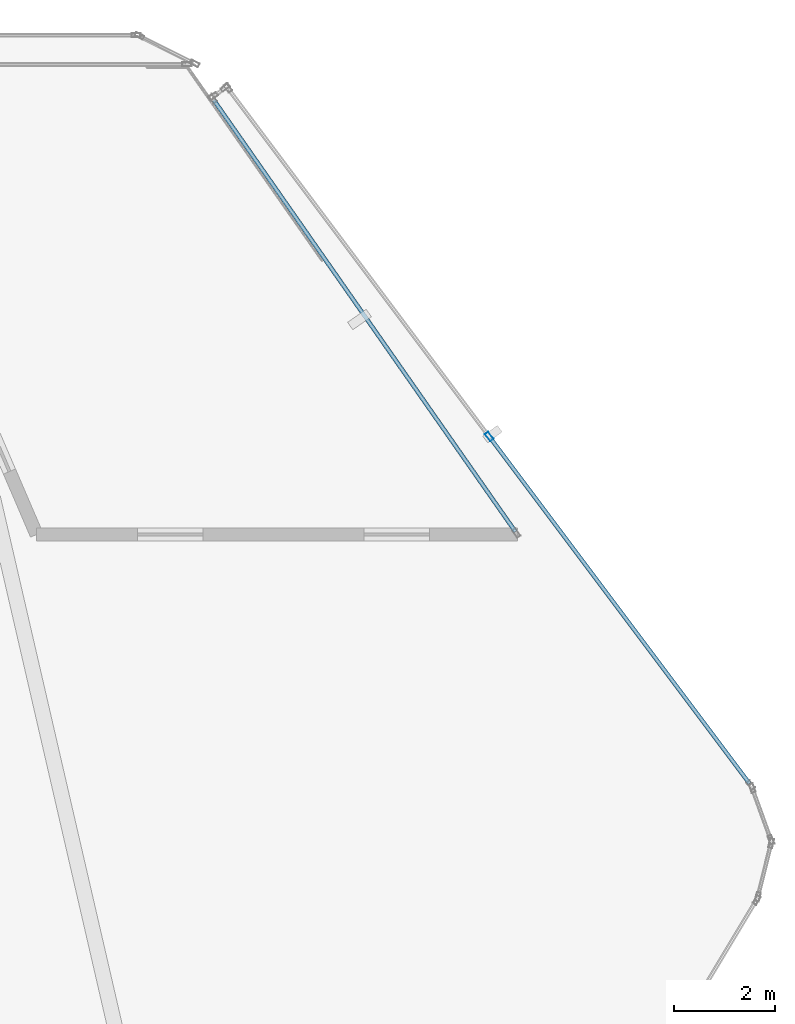
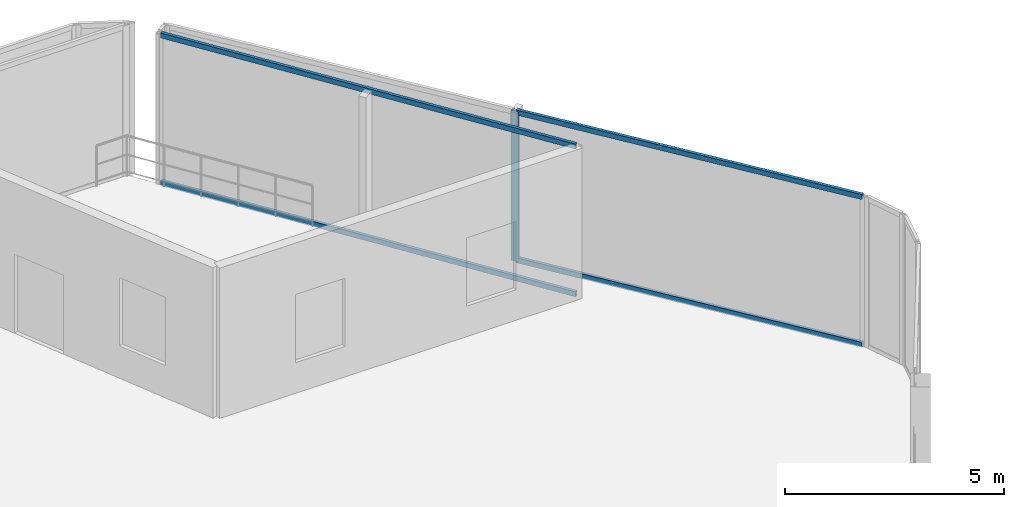
# One storey, part 20 of 31: 5 members, 2 elements without a shape of their own.
"""IFC4 building model written with IfcOpenShell, lengths in metres."""

from ifc_helpers import new_model, si_unit, direction, frame, origin, origin_2d, place, context, subcontext, project, spatial, hollow_rectangle, extrude, material, layer, layer_set, material_profile, profile_set, type_object, element, aggregate, save


model = new_model("IFC4")

# Units and contexts
model_context = context("Model", 3, precision=1e-05, world=origin(), true_north=direction((0.0, 1.0)))
body_context = subcontext(model_context, "Body", "Model", "MODEL_VIEW")
ifc_project = project(units=[si_unit("LENGTHUNIT", "METRE"), si_unit("AREAUNIT", "SQUARE_METRE"), si_unit("VOLUMEUNIT", "CUBIC_METRE"), si_unit("PLANEANGLEUNIT", "RADIAN"), si_unit("MASSUNIT", "GRAM", prefix="KILO")], contexts=[model_context])

# Site, building, storey
site_placement = place(None, origin())
site = spatial("IfcSite", under=ifc_project, at=site_placement, CompositionType="ELEMENT")
building_placement = place(site_placement, origin())
building = spatial("IfcBuilding", under=site, at=building_placement, Name="Keshet Zoharim Tower", CompositionType="ELEMENT")
storey_placement = place(building_placement, frame((0.0, 0.0, 125.300048828125)))
storey = spatial("IfcBuildingStorey", under=building, at=storey_placement, Name="L30", CompositionType="ELEMENT", Elevation=125.300048828125)

# Curtain wall, members
ifc_material = material(Name="Aluminium 6063-T6", Category="aluminium")
ifc_layer = layer(ifc_material, 0.14990234375)
ifc_layer_set = layer_set([ifc_layer], Name="Aluminium 6063-T6")
curtain_wall_type = type_object("IfcCurtainWallType", Name="CW-SYS-04", PredefinedType="NOTDEFINED", material=ifc_layer_set)
curtain_wall_1_placement = place(storey_placement, origin())
curtain_wall_1 = element("IfcCurtainWall", 1, at=curtain_wall_1_placement, inside=storey, type_object=curtain_wall_type, Name="L30 Unitised Curtain Wall 02", PredefinedType="NOTDEFINED")
ifc_material_profile_1 = material_profile(ifc_material, hollow_rectangle(XDim=0.080078125, YDim=0.179931640625, WallThickness=0.00439453125, at=origin_2d()), Name="MUL-80x180")
ifc_profile_set_1 = profile_set([ifc_material_profile_1], Name="Aluminium 6063-T6")
member_type_1 = type_object("IfcMemberType", Name="CWM-M18", PredefinedType="MULLION", material=ifc_profile_set_1)
member_1_placement = place(storey_placement, frame((56.9794921875, 45.927001953125, 0.0), z_axis=(0.0, 0.0, 1.0), x_axis=(0.799986189062, 0.600018414142, 0.0)))
member_1 = element("IfcMember", 2, at=member_1_placement, type_object=member_type_1, Name="CW-04 mullion 2", PredefinedType="MULLION", context=body_context, shape_type="SweptSolid", body=[
    extrude(hollow_rectangle(XDim=0.080078125, YDim=0.179931640625, WallThickness=0.00439453125, at=origin_2d()), origin(), (0.0, 0.0, 1.0), 4.18505859375),
])
ifc_material_profile_2 = material_profile(ifc_material, hollow_rectangle(XDim=0.080078125, YDim=0.139892578125, WallThickness=0.00390625, at=origin_2d()), Name="TRN-80x140")
ifc_profile_set_2 = profile_set([ifc_material_profile_2], Name="Aluminium 6063-T6")
member_type_2 = type_object("IfcMemberType", Name="CWT-T14", PredefinedType="USERDEFINED", material=ifc_profile_set_2)
member_2_placement = place(storey_placement, frame((57.00048828125, 45.89892578125, 0.034912109375), z_axis=(0.6000136521, -0.799989760743, 0.0), x_axis=(0.799989760743, 0.6000136521, 0.0)))
member_2 = element("IfcMember", 3, at=member_2_placement, type_object=member_type_2, Name="CW-04 transom 2.1", ObjectType="TRANSOM", PredefinedType="USERDEFINED", context=body_context, shape_type="SweptSolid", body=[
    extrude(hollow_rectangle(XDim=0.080078125, YDim=0.139892578125, WallThickness=0.00390625, at=origin_2d()), origin(), (0.0, 0.0, 1.0), 8.583740234375),
])
member_3_placement = place(storey_placement, frame((57.00048828125, 45.89892578125, 4.14990234375), z_axis=(0.6000136521, -0.799989760743, 0.0), x_axis=(0.799989760743, 0.6000136521, 0.0)))
member_3 = element("IfcMember", 4, at=member_3_placement, type_object=member_type_2, Name="CW-04 transom 2.2", ObjectType="TRANSOM", PredefinedType="USERDEFINED", context=body_context, shape_type="SweptSolid", body=[
    extrude(hollow_rectangle(XDim=0.080078125, YDim=0.139892578125, WallThickness=0.00390625, at=origin_2d()), origin(), (0.0, 0.0, 1.0), 8.583740234375),
])
aggregate(curtain_wall_1, [member_1, member_2, member_3])

curtain_wall_2_placement = place(storey_placement, origin())
curtain_wall_2 = element("IfcCurtainWall", 5, at=curtain_wall_2_placement, inside=storey, type_object=curtain_wall_type, Name="L30 Unitised Curtain Wall 22", PredefinedType="NOTDEFINED")
member_4_placement = place(storey_placement, frame((57.497802734375, 44.037353515625, 0.034912109375), z_axis=(-0.572816363805, 0.81968372764, 0.0), x_axis=(-0.81968372764, -0.572816363805, 0.0)))
member_4 = element("IfcMember", 6, at=member_4_placement, type_object=member_type_2, Name="CW-04 transom 1.1", ObjectType="TRANSOM", PredefinedType="USERDEFINED", context=body_context, shape_type="SweptSolid", body=[
    extrude(hollow_rectangle(XDim=0.080078125, YDim=0.139892578125, WallThickness=0.00390625, at=origin_2d()), origin(), (0.0, 0.0, 1.0), 10.453369140625),
])
member_5_placement = place(storey_placement, frame((57.497802734375, 44.037353515625, 4.14990234375), z_axis=(-0.572816363805, 0.81968372764, 0.0), x_axis=(-0.81968372764, -0.572816363805, 0.0)))
member_5 = element("IfcMember", 7, at=member_5_placement, type_object=member_type_2, Name="CW-04 transom 1.2", ObjectType="TRANSOM", PredefinedType="USERDEFINED", context=body_context, shape_type="SweptSolid", body=[
    extrude(hollow_rectangle(XDim=0.080078125, YDim=0.139892578125, WallThickness=0.00390625, at=origin_2d()), origin(), (0.0, 0.0, 1.0), 10.453369140625),
])
aggregate(curtain_wall_2, [member_4, member_5])

save(model, "model.ifc")
